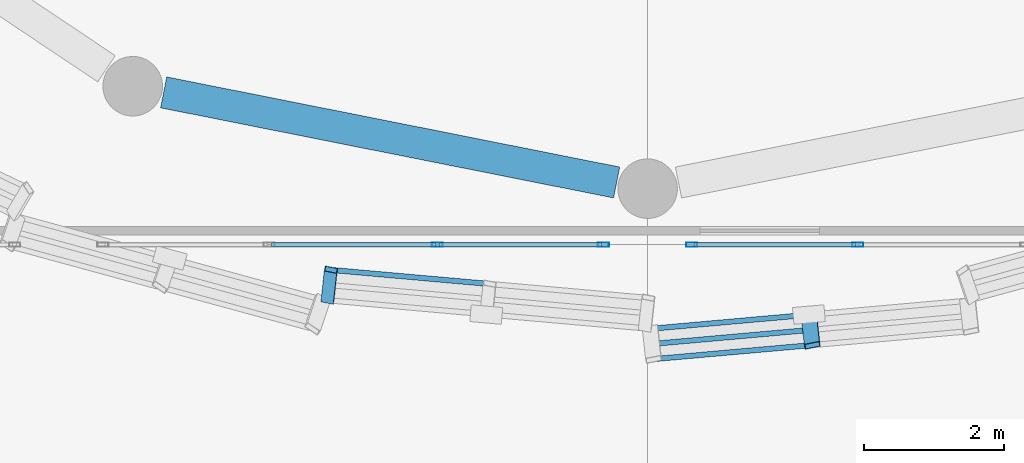
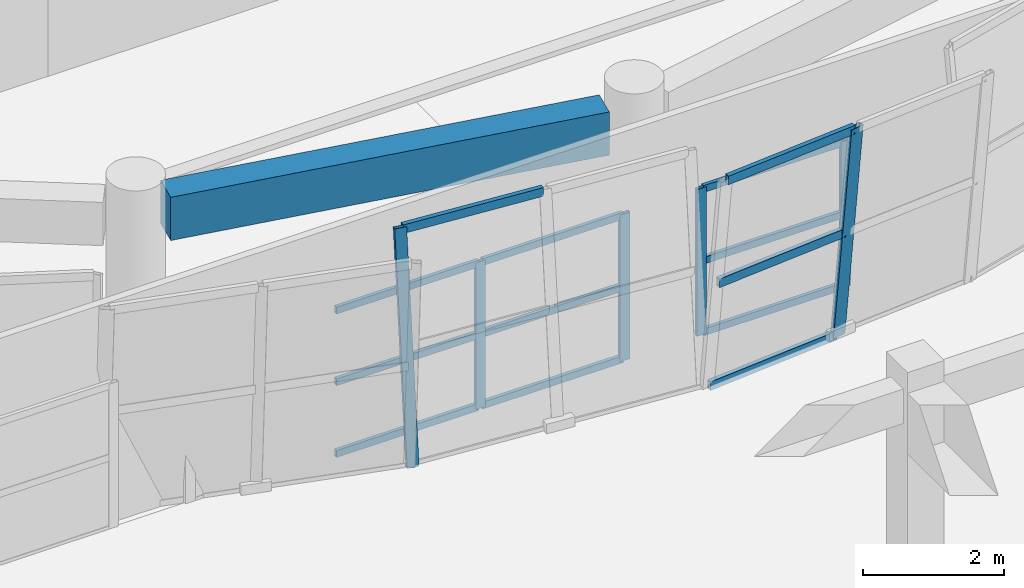
# One storey, part 20 of 74: 19 members, 1 beam, 4 elements without a shape of their own.
"""IFC4 building model written with IfcOpenShell, lengths in metres."""

from ifc_helpers import new_model, si_unit, direction, frame, origin, origin_2d, place, context, subcontext, project, spatial, rectangle, hollow_rectangle, extrude, material, material_profile, profile_set, type_object, element, aggregate, save


model = new_model("IFC4")

# Units and contexts
model_context = context("Model", 3, precision=1e-05, world=origin(), true_north=direction((0.0, 1.0)))
body_context = subcontext(model_context, "Body", "Model", "MODEL_VIEW")
ifc_project = project(units=[si_unit("LENGTHUNIT", "METRE"), si_unit("AREAUNIT", "SQUARE_METRE"), si_unit("VOLUMEUNIT", "CUBIC_METRE"), si_unit("PLANEANGLEUNIT", "RADIAN"), si_unit("MASSUNIT", "GRAM", prefix="KILO")], contexts=[model_context])

# Site, building, storey
site_placement = place(None, origin())
site = spatial("IfcSite", under=ifc_project, at=site_placement, CompositionType="ELEMENT")
building_placement = place(site_placement, origin())
building = spatial("IfcBuilding", under=site, at=building_placement, Name="Korsvaeld Concert Hall", CompositionType="ELEMENT")
storey_placement = place(building_placement, frame((0.0, 0.0, 9.0)))
storey = spatial("IfcBuildingStorey", under=building, at=storey_placement, Name="L02", CompositionType="ELEMENT", Elevation=9.0)

# Beam
ifc_material_1 = material(Name="Concrete C35/45", Category="concrete")
ifc_material_profile_1 = material_profile(ifc_material_1, rectangle(XDim=0.449951171875, YDim=0.75, at=origin_2d()), Name="RC 450x750")
ifc_profile_set_1 = profile_set([ifc_material_profile_1], Name="Concrete C35/45")
beam_type = type_object("IfcBeamType", Name="BM-RC-450x750", PredefinedType="T_BEAM", material=ifc_profile_set_1)
beam_placement = place(storey_placement, frame((77.093994140625, 45.373779296875, 3.465087890625), z_axis=(0.980785284484, -0.195090301499, 0.0), x_axis=(0.195090301499, 0.980785284484, 0.0)))
element("IfcBeam", 1, at=beam_placement, inside=storey, type_object=beam_type, Name="Drum ring floor girder L02 12", PredefinedType="T_BEAM", context=body_context, shape_type="SweptSolid", body=[
    extrude(rectangle(XDim=0.449951171875, YDim=0.75, at=origin_2d()), origin(), (0.0, 0.0, 1.0), 6.59130859375),
])

# Curtain wall, members
ifc_material_2 = material(Name="Anodised bronze and ceramic-fritted safety glass", Category="glass")
curtain_wall_type_1 = type_object("IfcCurtainWallType", Name="CW-TYPE-09", PredefinedType="USERDEFINED", material=ifc_material_2)
curtain_wall_1_placement = place(storey_placement, origin())
curtain_wall_1 = element("IfcCurtainWall", 2, at=curtain_wall_1_placement, inside=storey, type_object=curtain_wall_type_1, Name="Glazed foyer acoustic screen L02-33", ObjectType="CURTAIN WALL", PredefinedType="USERDEFINED")
ifc_material_3 = material(Name="Anodised architectural bronze aluminium", Category="aluminium")
ifc_material_profile_2 = material_profile(ifc_material_3, hollow_rectangle(XDim=0.06005859375, YDim=0.159912109375, WallThickness=0.00390625, at=origin_2d()), Name="CWM 160x60x4")
ifc_profile_set_2 = profile_set([ifc_material_profile_2], Name="Anodised architectural bronze aluminium")
member_type_1 = type_object("IfcMemberType", Name="CWM-ALUM-160x60", PredefinedType="MULLION", material=ifc_profile_set_2)
member_1_placement = place(storey_placement, frame((81.0, 43.199951171875, 0.0), z_axis=(0.0, 0.0, 1.0), x_axis=(0.0, 1.0, 0.0)))
member_1 = element("IfcMember", 3, at=member_1_placement, type_object=member_type_1, Name="CW-09 mullion 3", PredefinedType="MULLION", context=body_context, shape_type="SweptSolid", body=[
    extrude(hollow_rectangle(XDim=0.06005859375, YDim=0.159912109375, WallThickness=0.00390625, at=origin_2d()), origin(), (0.0, 0.0, 1.0), 2.550048828125),
])
member_2_placement = place(storey_placement, frame((83.3701171875, 43.199951171875, 0.0), z_axis=(0.0, 0.0, 1.0), x_axis=(0.0, 1.0, 0.0)))
member_2 = element("IfcMember", 4, at=member_2_placement, type_object=member_type_1, Name="CW-09 mullion 4", PredefinedType="MULLION", context=body_context, shape_type="SweptSolid", body=[
    extrude(hollow_rectangle(XDim=0.06005859375, YDim=0.159912109375, WallThickness=0.00390625, at=origin_2d()), origin(), (0.0, 0.0, 1.0), 2.550048828125),
])

curtain_wall_type_2 = type_object("IfcCurtainWallType", Name="CW-TYPE-10", PredefinedType="USERDEFINED", material=ifc_material_2)
curtain_wall_2_placement = place(storey_placement, origin())
curtain_wall_2 = element("IfcCurtainWall", 5, at=curtain_wall_2_placement, inside=storey, type_object=curtain_wall_type_2, Name="Glazed foyer acoustic screen L02-34", ObjectType="CURTAIN WALL", PredefinedType="USERDEFINED")
member_3_placement = place(storey_placement, frame((84.6298828125, 43.199951171875, 0.0), z_axis=(0.0, 0.0, 1.0), x_axis=(0.0, 1.0, 0.0)))
member_3 = element("IfcMember", 6, at=member_3_placement, type_object=member_type_1, Name="CW-10 mullion 1", PredefinedType="MULLION", context=body_context, shape_type="SweptSolid", body=[
    extrude(hollow_rectangle(XDim=0.06005859375, YDim=0.159912109375, WallThickness=0.00390625, at=origin_2d()), origin(), (0.0, 0.0, 1.0), 2.550048828125),
])
member_4_placement = place(storey_placement, frame((87.0, 43.199951171875, 0.0), z_axis=(0.0, 0.0, 1.0), x_axis=(0.0, 1.0, 0.0)))
member_4 = element("IfcMember", 7, at=member_4_placement, type_object=member_type_1, Name="CW-10 mullion 2", PredefinedType="MULLION", context=body_context, shape_type="SweptSolid", body=[
    extrude(hollow_rectangle(XDim=0.06005859375, YDim=0.159912109375, WallThickness=0.00390625, at=origin_2d()), origin(), (0.0, 0.0, 1.0), 2.550048828125),
])

# Curtain wall, member
curtain_wall_type_3 = type_object("IfcCurtainWallType", Name="CW-TYPE-08", PredefinedType="USERDEFINED", material=ifc_material_2)
curtain_wall_3_placement = place(storey_placement, origin())
curtain_wall_3 = element("IfcCurtainWall", 8, at=curtain_wall_3_placement, inside=storey, type_object=curtain_wall_type_3, Name="Crystal curtain-wall facet L02 F24", ObjectType="CURTAIN WALL", PredefinedType="USERDEFINED")
ifc_material_profile_3 = material_profile(ifc_material_3, hollow_rectangle(XDim=0.074951171875, YDim=0.179931640625, WallThickness=0.0048828125, at=origin_2d()), Name="CWM 180x75x5")
ifc_profile_set_3 = profile_set([ifc_material_profile_3], Name="Anodised architectural bronze aluminium")
member_type_2 = type_object("IfcMemberType", Name="CWM-BRONZE-180x75", PredefinedType="MULLION", material=ifc_profile_set_3)
member_5_placement = place(storey_placement, frame((79.433349609375, 42.404052734375, 0.0), z_axis=(0.0123164825, 0.112536388326, 0.993571268486), x_axis=(-0.195293442092, -0.974240168355, 0.11276775177)))
member_5 = element("IfcMember", 9, at=member_5_placement, type_object=member_type_2, Name="CW-CRYS-L02-F24 crystal mullion 1", PredefinedType="MULLION", context=body_context, shape_type="SweptSolid", body=[
    extrude(hollow_rectangle(XDim=0.074951171875, YDim=0.179931640625, WallThickness=0.0048828125, at=origin_2d()), origin(), (0.0, 0.0, 1.0), 3.905029296875),
])

curtain_wall_type_4 = type_object("IfcCurtainWallType", Name="CW-TYPE-01", PredefinedType="USERDEFINED", material=ifc_material_2)
curtain_wall_4_placement = place(storey_placement, origin())
curtain_wall_4 = element("IfcCurtainWall", 10, at=curtain_wall_4_placement, inside=storey, type_object=curtain_wall_type_4, Name="Crystal curtain-wall facet L02 F25", ObjectType="CURTAIN WALL", PredefinedType="USERDEFINED")
ifc_material_profile_4 = material_profile(ifc_material_3, hollow_rectangle(XDim=0.074951171875, YDim=0.219970703125, WallThickness=0.006103515625, at=origin_2d()), Name="CWM 220x75x6")
ifc_profile_set_4 = profile_set([ifc_material_profile_4], Name="Anodised architectural bronze aluminium")
member_type_3 = type_object("IfcMemberType", Name="CWM-BRONZE-220x75", PredefinedType="MULLION", material=ifc_profile_set_4)
member_6_placement = place(storey_placement, frame((86.302001953125, 42.20361328125, 0.0), z_axis=(0.012378993159, -0.11253630145, 0.993570501466), x_axis=(-0.195828135114, 0.974132056409, 0.112774457103)))
member_6 = element("IfcMember", 11, at=member_6_placement, type_object=member_type_3, Name="CW-CRYS-L02-F25 crystal mullion 2", PredefinedType="MULLION", context=body_context, shape_type="SweptSolid", body=[
    extrude(hollow_rectangle(XDim=0.074951171875, YDim=0.219970703125, WallThickness=0.006103515625, at=origin_2d()), origin(), (0.0, 0.0, 1.0), 3.905029296875),
])

# Member
ifc_material_profile_5 = material_profile(ifc_material_3, hollow_rectangle(XDim=0.06005859375, YDim=0.1201171875, WallThickness=0.00390625, at=origin_2d()), Name="CWT 120x60x4")
ifc_profile_set_5 = profile_set([ifc_material_profile_5], Name="Anodised architectural bronze aluminium")
member_type_4 = type_object("IfcMemberType", Name="CWT-ALUM-120x60", PredefinedType="USERDEFINED", material=ifc_profile_set_5)
member_7_placement = place(storey_placement, frame((78.6298828125, 43.199951171875, 0.030029296875), z_axis=(1.0, 0.0, 0.0), x_axis=(0.0, 1.0, 0.0)))
member_7 = element("IfcMember", 12, at=member_7_placement, type_object=member_type_4, Name="CW-09 transom 2.1", ObjectType="TRANSOM", PredefinedType="USERDEFINED", context=body_context, shape_type="SweptSolid", body=[
    extrude(hollow_rectangle(XDim=0.06005859375, YDim=0.1201171875, WallThickness=0.00390625, at=origin_2d()), origin(), (0.0, 0.0, 1.0), 2.340087890625),
])

member_8_placement = place(storey_placement, frame((78.6298828125, 43.199951171875, 1.27490234375), z_axis=(1.0, 0.0, 0.0), x_axis=(0.0, 1.0, 0.0)))
member_8 = element("IfcMember", 13, at=member_8_placement, type_object=member_type_4, Name="CW-09 transom 2.2", ObjectType="TRANSOM", PredefinedType="USERDEFINED", context=body_context, shape_type="SweptSolid", body=[
    extrude(hollow_rectangle(XDim=0.06005859375, YDim=0.1201171875, WallThickness=0.00390625, at=origin_2d()), origin(), (0.0, 0.0, 1.0), 2.340087890625),
])

member_9_placement = place(storey_placement, frame((78.6298828125, 43.199951171875, 2.52001953125), z_axis=(1.0, 0.0, 0.0), x_axis=(0.0, 1.0, 0.0)))
member_9 = element("IfcMember", 14, at=member_9_placement, type_object=member_type_4, Name="CW-09 transom 2.3", ObjectType="TRANSOM", PredefinedType="USERDEFINED", context=body_context, shape_type="SweptSolid", body=[
    extrude(hollow_rectangle(XDim=0.06005859375, YDim=0.1201171875, WallThickness=0.00390625, at=origin_2d()), origin(), (0.0, 0.0, 1.0), 2.340087890625),
])

member_10_placement = place(storey_placement, frame((81.030029296875, 43.199951171875, 0.030029296875), z_axis=(1.0, 0.0, 0.0), x_axis=(0.0, 1.0, 0.0)))
member_10 = element("IfcMember", 15, at=member_10_placement, type_object=member_type_4, Name="CW-09 transom 3.1", ObjectType="TRANSOM", PredefinedType="USERDEFINED", context=body_context, shape_type="SweptSolid", body=[
    extrude(hollow_rectangle(XDim=0.06005859375, YDim=0.1201171875, WallThickness=0.00390625, at=origin_2d()), origin(), (0.0, 0.0, 1.0), 2.31005859375),
])

member_11_placement = place(storey_placement, frame((81.030029296875, 43.199951171875, 1.27490234375), z_axis=(1.0, 0.0, 0.0), x_axis=(0.0, 1.0, 0.0)))
member_11 = element("IfcMember", 16, at=member_11_placement, type_object=member_type_4, Name="CW-09 transom 3.2", ObjectType="TRANSOM", PredefinedType="USERDEFINED", context=body_context, shape_type="SweptSolid", body=[
    extrude(hollow_rectangle(XDim=0.06005859375, YDim=0.1201171875, WallThickness=0.00390625, at=origin_2d()), origin(), (0.0, 0.0, 1.0), 2.31005859375),
])

member_12_placement = place(storey_placement, frame((81.030029296875, 43.199951171875, 2.52001953125), z_axis=(1.0, 0.0, 0.0), x_axis=(0.0, 1.0, 0.0)))
member_12 = element("IfcMember", 17, at=member_12_placement, type_object=member_type_4, Name="CW-09 transom 3.3", ObjectType="TRANSOM", PredefinedType="USERDEFINED", context=body_context, shape_type="SweptSolid", body=[
    extrude(hollow_rectangle(XDim=0.06005859375, YDim=0.1201171875, WallThickness=0.00390625, at=origin_2d()), origin(), (0.0, 0.0, 1.0), 2.31005859375),
])

aggregate(curtain_wall_1, [member_1, member_2, member_7, member_8, member_9, member_10, member_11, member_12])

member_13_placement = place(storey_placement, frame((84.659912109375, 43.199951171875, 0.030029296875), z_axis=(1.0, 0.0, 0.0), x_axis=(0.0, 1.0, 0.0)))
member_13 = element("IfcMember", 18, at=member_13_placement, type_object=member_type_4, Name="CW-10 transom 1.1", ObjectType="TRANSOM", PredefinedType="USERDEFINED", context=body_context, shape_type="SweptSolid", body=[
    extrude(hollow_rectangle(XDim=0.06005859375, YDim=0.1201171875, WallThickness=0.00390625, at=origin_2d()), origin(), (0.0, 0.0, 1.0), 2.31005859375),
])

member_14_placement = place(storey_placement, frame((84.659912109375, 43.199951171875, 1.27490234375), z_axis=(1.0, 0.0, 0.0), x_axis=(0.0, 1.0, 0.0)))
member_14 = element("IfcMember", 19, at=member_14_placement, type_object=member_type_4, Name="CW-10 transom 1.2", ObjectType="TRANSOM", PredefinedType="USERDEFINED", context=body_context, shape_type="SweptSolid", body=[
    extrude(hollow_rectangle(XDim=0.06005859375, YDim=0.1201171875, WallThickness=0.00390625, at=origin_2d()), origin(), (0.0, 0.0, 1.0), 2.31005859375),
])

member_15_placement = place(storey_placement, frame((84.659912109375, 43.199951171875, 2.52001953125), z_axis=(1.0, 0.0, 0.0), x_axis=(0.0, 1.0, 0.0)))
member_15 = element("IfcMember", 20, at=member_15_placement, type_object=member_type_4, Name="CW-10 transom 1.3", ObjectType="TRANSOM", PredefinedType="USERDEFINED", context=body_context, shape_type="SweptSolid", body=[
    extrude(hollow_rectangle(XDim=0.06005859375, YDim=0.1201171875, WallThickness=0.00390625, at=origin_2d()), origin(), (0.0, 0.0, 1.0), 2.31005859375),
])

aggregate(curtain_wall_2, [member_3, member_4, member_13, member_14, member_15])

ifc_material_profile_6 = material_profile(ifc_material_3, hollow_rectangle(XDim=0.074951171875, YDim=0.14990234375, WallThickness=0.0048828125, at=origin_2d()), Name="CWT 150x75x5")
ifc_profile_set_6 = profile_set([ifc_material_profile_6], Name="Anodised architectural bronze aluminium")
member_type_5 = type_object("IfcMemberType", Name="CWT-BRONZE-150x75", PredefinedType="USERDEFINED", material=ifc_profile_set_6)
member_16_placement = place(storey_placement, frame((79.518310546875, 42.8369140625, 3.85009765625), z_axis=(0.996106081505, -0.088162772123, 0.0), x_axis=(0.088162772123, 0.996106081505, 0.0)))
member_16 = element("IfcMember", 21, at=member_16_placement, type_object=member_type_5, Name="CW-CRYS-L02-F24 crystal transom 1.3", ObjectType="TRANSOM", PredefinedType="USERDEFINED", context=body_context, shape_type="SweptSolid", body=[
    extrude(hollow_rectangle(XDim=0.074951171875, YDim=0.14990234375, WallThickness=0.0048828125, at=origin_2d()), origin(), (0.0, 0.0, 1.0), 2.19873046875),
])

aggregate(curtain_wall_3, [member_5, member_16])

member_17_placement = place(storey_placement, frame((84.0751953125, 42.003173828125, 0.030029296875), z_axis=(0.996105218313, 0.088172524341, 0.0), x_axis=(-0.088172524341, 0.996105218313, 0.0)))
member_17 = element("IfcMember", 22, at=member_17_placement, type_object=member_type_5, Name="CW-CRYS-L02-F25 crystal transom 1.1", ObjectType="TRANSOM", PredefinedType="USERDEFINED", context=body_context, shape_type="SweptSolid", body=[
    extrude(hollow_rectangle(XDim=0.074951171875, YDim=0.14990234375, WallThickness=0.0048828125, at=origin_2d()), origin(), (0.0, 0.0, 1.0), 2.198486328125),
])

member_18_placement = place(storey_placement, frame((84.098876953125, 41.786865234375, 1.93994140625), z_axis=(0.996105218313, 0.088172524341, 0.0), x_axis=(-0.088172524341, 0.996105218313, 0.0)))
member_18 = element("IfcMember", 23, at=member_18_placement, type_object=member_type_5, Name="CW-CRYS-L02-F25 crystal transom 1.2", ObjectType="TRANSOM", PredefinedType="USERDEFINED", context=body_context, shape_type="SweptSolid", body=[
    extrude(hollow_rectangle(XDim=0.074951171875, YDim=0.14990234375, WallThickness=0.0048828125, at=origin_2d()), origin(), (0.0, 0.0, 1.0), 2.198486328125),
])

member_19_placement = place(storey_placement, frame((84.12255859375, 41.570556640625, 3.85009765625), z_axis=(0.996105218313, 0.088172524341, 0.0), x_axis=(-0.088172524341, 0.996105218313, 0.0)))
member_19 = element("IfcMember", 24, at=member_19_placement, type_object=member_type_5, Name="CW-CRYS-L02-F25 crystal transom 1.3", ObjectType="TRANSOM", PredefinedType="USERDEFINED", context=body_context, shape_type="SweptSolid", body=[
    extrude(hollow_rectangle(XDim=0.074951171875, YDim=0.14990234375, WallThickness=0.0048828125, at=origin_2d()), origin(), (0.0, 0.0, 1.0), 2.198486328125),
])

aggregate(curtain_wall_4, [member_6, member_17, member_18, member_19])

save(model, "model.ifc")
